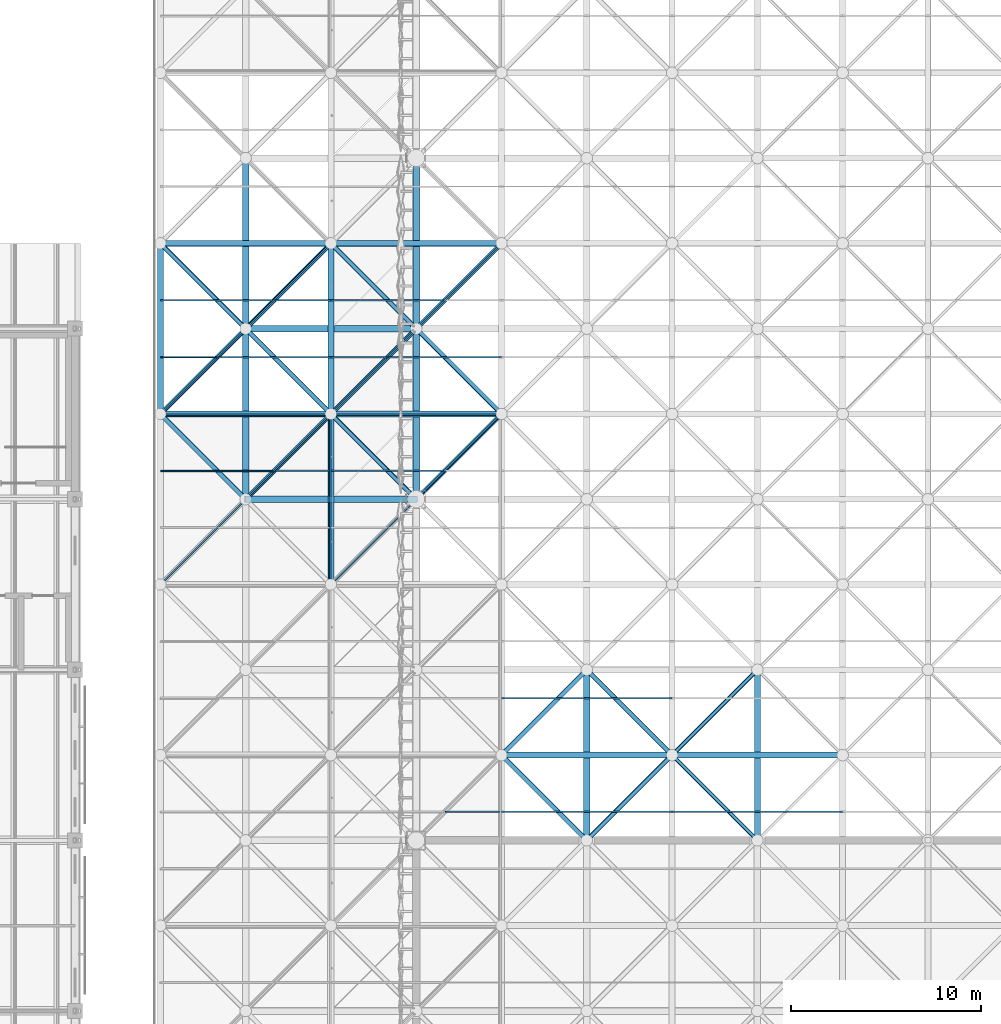
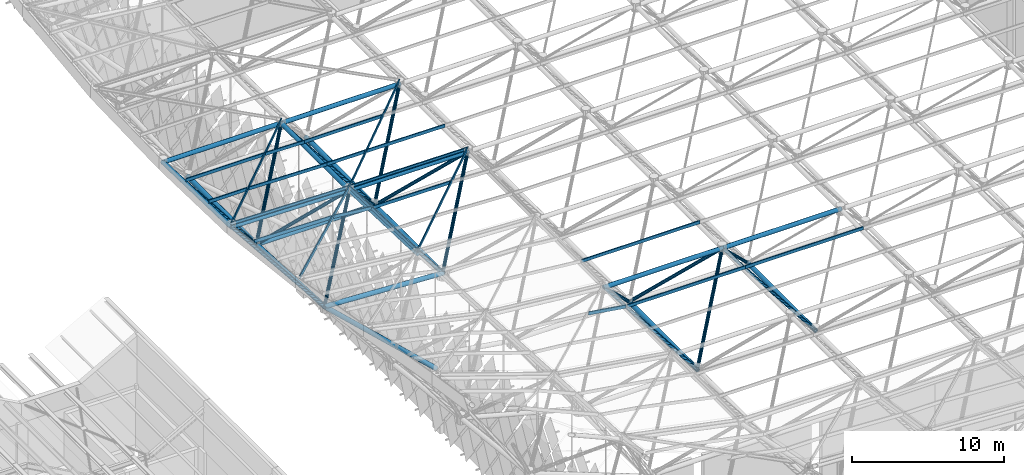
# One storey, part 78 of 437: 57 members.
"""IFC4 building model written with IfcOpenShell, lengths in metres."""

import ifcopenshell
import ifcopenshell.guid

model = None  # the IFC model being written
_history = None  # IfcOwnerHistory: only IFC2X3 demands one
_inside = {}  # id of a spatial element -> (the spatial element, [elements in it])
_under = {}  # id of a project, library or spatial element -> (it, [spatial elements below it])
_declared = {}  # id of a project -> (the project, [libraries it declares])
_typed = {}  # id of a type object -> (the type object, [elements of that type])
_made_of = {}  # id of a material, layer set ... -> (it, [elements and type objects made of it])


def new_model(schema):
    """Start an empty IFC model of exactly this schema.

    Asked for "IFC4X3", IfcOpenShell would pick the latest addendum, in which some entities
    have other attributes; the version numbers below select the first issue.
    IFC2X3 requires an IfcOwnerHistory on every rooted entity: one is made here for all.
    """
    global model, _history
    if schema == "IFC4X3":
        model = ifcopenshell.file(schema_version=(4, 3, 0, 0))
    else:
        model = ifcopenshell.file(schema=schema)
    _inside.clear()
    _under.clear()
    _declared.clear()
    _typed.clear()
    _made_of.clear()
    _history = None
    if model.schema == "IFC2X3":
        org = make("IfcOrganization", Name="unknown")
        user = make(
            "IfcPersonAndOrganization",
            ThePerson=make("IfcPerson", FamilyName="unknown"),
            TheOrganization=org,
        )
        app = make(
            "IfcApplication",
            ApplicationDeveloper=org,
            Version="unknown",
            ApplicationFullName="unknown",
            ApplicationIdentifier="unknown",
        )
        _history = make(
            "IfcOwnerHistory",
            OwningUser=user,
            OwningApplication=app,
            ChangeAction="ADDED",
            CreationDate=0,
        )
    return model


def make(cls, **values):
    """One entity of the class cls with the attributes given. An attribute that is None is left unset."""
    return model.create_entity(
        cls, **{name: value for name, value in values.items() if value is not None}
    )


def rooted(cls, **values):
    """An entity with a GlobalId (a new one), such as an element, a storey or a relation."""
    return make(cls, GlobalId=ifcopenshell.guid.new(), OwnerHistory=_history, **values)


def si_unit(unit_type, name, prefix=None):
    """IfcSIUnit, for example si_unit("LENGTHUNIT", "METRE", prefix="MILLI")."""
    return make("IfcSIUnit", UnitType=unit_type, Prefix=prefix, Name=name)


def assignment(units):
    """IfcUnitAssignment: the units of a project."""
    return None if units is None else make("IfcUnitAssignment", Units=units)


def point(xyz):
    """IfcCartesianPoint."""
    return None if xyz is None else make("IfcCartesianPoint", Coordinates=xyz)


def direction(xyz):
    """IfcDirection."""
    return None if xyz is None else make("IfcDirection", DirectionRatios=xyz)


def frame(location, z_axis=None, x_axis=None):
    """IfcAxis2Placement3D, a coordinate frame: its origin and axes. An axis left out is left unset."""
    return make(
        "IfcAxis2Placement3D",
        Location=point(location),
        Axis=direction(z_axis),
        RefDirection=direction(x_axis),
    )


def frame_2d(location, x_axis=None):
    """IfcAxis2Placement2D, a coordinate frame in the plane: its origin and x axis."""
    return make(
        "IfcAxis2Placement2D", Location=point(location), RefDirection=direction(x_axis)
    )


def origin():
    """The frame at (0, 0, 0) with its axes left unset."""
    return frame((0.0, 0.0, 0.0))


def origin_2d():
    """The frame at (0, 0) in the plane with its x axis left unset."""
    return frame_2d((0.0, 0.0))


def place(relative_to, where):
    """IfcLocalPlacement: puts the frame where relative to a parent placement (None: the world)."""
    return make(
        "IfcLocalPlacement", PlacementRelTo=relative_to, RelativePlacement=where
    )


def context(
    kind, dimensions, precision=None, world=None, true_north=None, identifier=None
):
    """IfcGeometricRepresentationContext, for example the 3D "Model" context."""
    return make(
        "IfcGeometricRepresentationContext",
        ContextIdentifier=identifier,
        ContextType=kind,
        CoordinateSpaceDimension=dimensions,
        Precision=precision,
        WorldCoordinateSystem=world,
        TrueNorth=true_north,
    )


def subcontext(parent, identifier, kind, view, scale=None):
    """IfcGeometricRepresentationSubContext, for example "Body" below "Model"."""
    return make(
        "IfcGeometricRepresentationSubContext",
        ContextIdentifier=identifier,
        ContextType=kind,
        ParentContext=parent,
        TargetScale=scale,
        TargetView=view,
    )


def project(units=None, contexts=None):
    """IfcProject with its units and contexts."""
    return rooted(
        "IfcProject",
        Name="project",
        RepresentationContexts=contexts,
        UnitsInContext=assignment(units),
    )


def spatial(cls, under=None, at=None, **own):
    """A site, building, storey or space (cls), placed at a placement, below another one or the project."""
    s = rooted(cls, ObjectPlacement=at, **own)
    if under is not None:
        _under.setdefault(under.id(), (under, []))[1].append(s)
    return s


def polyline(points):
    """IfcPolyline through the points."""
    return make("IfcPolyline", Points=[point(p) for p in points])


def profile(cls, at=None, kind="AREA", **sizes):
    """A parametric profile (cls). Its sizes go by their IFC names, for example OverallWidth=200.0."""
    return make(cls, ProfileType=kind, Position=at, **sizes)


def hollow_circle(**sizes):
    """IfcCircleHollowProfileDef."""
    return profile("IfcCircleHollowProfileDef", **sizes)


def outline(outer, holes=None, kind="AREA"):
    """IfcArbitraryClosedProfileDef: a profile drawn as a closed curve; with holes, ...WithVoids."""
    if holes is None:
        return make("IfcArbitraryClosedProfileDef", ProfileType=kind, OuterCurve=outer)
    return make(
        "IfcArbitraryProfileDefWithVoids",
        ProfileType=kind,
        OuterCurve=outer,
        InnerCurves=holes,
    )


def extrude(swept, where, along, depth):
    """IfcExtrudedAreaSolid: the profile swept, set in the frame where, extruded along a direction by depth."""
    return make(
        "IfcExtrudedAreaSolid",
        SweptArea=swept,
        Position=where,
        ExtrudedDirection=direction(along),
        Depth=depth,
    )


def shape(context_of_items, identifier, shape_type, items):
    """IfcShapeRepresentation: the items that make up one representation, for example the "Body"."""
    return make(
        "IfcShapeRepresentation",
        ContextOfItems=context_of_items,
        RepresentationIdentifier=identifier,
        RepresentationType=shape_type,
        Items=items,
    )


def material(Name=None, Category=None):
    """IfcMaterial."""
    return make("IfcMaterial", Name=Name, Category=Category)


def material_profile(
    of_material, cross_section, Name=None, Category=None, Priority=None
):
    """IfcMaterialProfile: a cross section and its material."""
    return make(
        "IfcMaterialProfile",
        Name=Name,
        Material=of_material,
        Profile=cross_section,
        Priority=Priority,
        Category=Category,
    )


def profile_set(profiles, Name=None, composite=None):
    """IfcMaterialProfileSet."""
    return make(
        "IfcMaterialProfileSet",
        Name=Name,
        MaterialProfiles=profiles,
        CompositeProfile=composite,
    )


def made_of(thing, what):
    """Note that an element or type object is made of a material, layer set ...; save() writes the relation."""
    if what is not None:
        _made_of.setdefault(what.id(), (what, []))[1].append(thing)
    return thing


def type_object(cls, material=None, **own):
    """A type object (cls), such as IfcWallType, which elements share."""
    return made_of(rooted(cls, **own), material)


def element(
    cls,
    number,
    at=None,
    inside=None,
    cuts=None,
    type_object=None,
    material=None,
    context=None,
    identifier="Body",
    shape_type=None,
    held_by="IfcProductDefinitionShape",
    body=None,
    shapes=None,
    **own,
):
    """One element of the class cls, such as IfcWall. Its Tag is "e" and its number.

    at: its placement. inside: the storey or other place that contains it. cuts: it is an
    opening in that element (IfcRelVoidsElement). A single representation is given by context,
    identifier, shape_type and body (its items); several are given by shapes. held_by: the class
    of the entity that holds the representations. save() writes the other relations.
    """
    e = rooted(cls, Tag="e%d" % number, ObjectPlacement=at, **own)
    if body is not None:
        shapes = [shape(context, identifier, shape_type, body)]
    if shapes is not None:
        e.Representation = make(held_by, Representations=shapes)
    if inside is not None:
        _inside.setdefault(inside.id(), (inside, []))[1].append(e)
    if cuts is not None:
        rooted(
            "IfcRelVoidsElement", RelatingBuildingElement=cuts, RelatedOpeningElement=e
        )
    if type_object is not None:
        _typed.setdefault(type_object.id(), (type_object, []))[1].append(e)
    return made_of(e, material)


def aggregate(whole, parts):
    """IfcRelAggregates: a whole, such as a stair, and the parts it consists of."""
    return rooted("IfcRelAggregates", RelatingObject=whole, RelatedObjects=parts)


def save(model, path):
    """Write the relations noted so far, then the file.

    IfcRelAggregates (storeys below a building ...), IfcRelContainedInSpatialStructure (elements
    in a storey), IfcRelDefinesByType, IfcRelAssociatesMaterial and IfcRelDeclares: one each for
    every whole, place, type object, material and project.
    """
    for whole, parts in _under.values():
        aggregate(whole, parts)
    for where, things in _inside.values():
        rooted(
            "IfcRelContainedInSpatialStructure",
            RelatedElements=things,
            RelatingStructure=where,
        )
    for kind, things in _typed.values():
        rooted("IfcRelDefinesByType", RelatedObjects=things, RelatingType=kind)
    for what, things in _made_of.values():
        rooted("IfcRelAssociatesMaterial", RelatedObjects=things, RelatingMaterial=what)
    for by, libraries in _declared.values():
        rooted("IfcRelDeclares", RelatingContext=by, RelatedDefinitions=libraries)
    model.write(path)


model = new_model("IFC4")

# Units and contexts
model_context = context("Model", 3, precision=1e-05, world=origin(), true_north=direction((0.0, 1.0)))
body_context = subcontext(model_context, "Body", "Model", "MODEL_VIEW")
ifc_project = project(units=[si_unit("LENGTHUNIT", "METRE"), si_unit("AREAUNIT", "SQUARE_METRE"), si_unit("VOLUMEUNIT", "CUBIC_METRE"), si_unit("PLANEANGLEUNIT", "RADIAN"), si_unit("MASSUNIT", "GRAM", prefix="KILO")], contexts=[model_context])

# Site, building, storey
site_placement = place(None, origin())
site = spatial("IfcSite", under=ifc_project, at=site_placement, CompositionType="ELEMENT")
building_placement = place(site_placement, origin())
building = spatial("IfcBuilding", under=site, at=building_placement, Name="Opaline Strait Convention Centre", CompositionType="ELEMENT")
storey_placement = place(building_placement, frame((0.0, 0.0, 11.5)))
storey = spatial("IfcBuildingStorey", under=building, at=storey_placement, Name="L02", CompositionType="ELEMENT", Elevation=11.5)

# Members
ifc_material = material(Name="Steel Q355B", Category="steel")
ifc_material_profile_1 = material_profile(ifc_material, hollow_circle(Radius=0.175537109375, WallThickness=0.01611328125, at=origin_2d()), Name="CHS 351x16")
ifc_profile_set_1 = profile_set([ifc_material_profile_1], Name="Steel Q355B")
member_type_1 = type_object("IfcMemberType", Name="Raking prop CHS 351x16", PredefinedType="BRACE", material=ifc_profile_set_1)
member_1_placement = place(storey_placement, frame((98.48388671875, 90.0, 5.014892578125), z_axis=(-0.72992125999, 0.0, 0.683531238653), x_axis=(0.0, -1.0, 0.0)))
element("IfcMember", 1, at=member_1_placement, inside=storey, type_object=member_type_1, Name="Raking prop 99/90 W", PredefinedType="BRACE", context=body_context, shape_type="SweptSolid", body=[
    extrude(hollow_circle(Radius=0.175537109375, WallThickness=0.01611328125, at=origin_2d()), origin(), (0.0, 0.0, 1.0), 11.6728515625),
])
ifc_material_profile_2 = material_profile(ifc_material, outline(polyline([(-0.03759765625, -0.125), (0.03759765625, -0.125), (0.03759765625, -0.10498046875), (0.034912109375, -0.10498046875), (0.034912109375, -0.12255859375), (-0.034912109375, -0.12255859375), (-0.034912109375, 0.12255859375), (0.034912109375, 0.12255859375), (0.034912109375, 0.10498046875), (0.03759765625, 0.10498046875), (0.03759765625, 0.125), (-0.03759765625, 0.125), (-0.03759765625, -0.125)])), Name="C 250x75x20x2.5")
ifc_profile_set_2 = profile_set([ifc_material_profile_2], Name="Steel Q355B")
member_type_2 = type_object("IfcMemberType", Name="Roof purlin C 250x75x20x2.5", PredefinedType="PURLIN", material=ifc_profile_set_2)
member_2_placement = place(storey_placement, frame((100.550048828125, 73.5, 18.7177734375), z_axis=(0.988094799995, 0.0, -0.153846242146), x_axis=(0.0, 1.0, 0.0)))
element("IfcMember", 2, at=member_2_placement, inside=storey, type_object=member_type_2, Name="EXB-RF-P-1-3-1a", PredefinedType="PURLIN", context=body_context, shape_type="SweptSolid", body=[
    extrude(outline(polyline([(-0.03759765625, -0.125), (0.03759765625, -0.125), (0.03759765625, -0.10498046875), (0.034912109375, -0.10498046875), (0.034912109375, -0.12255859375), (-0.034912109375, -0.12255859375), (-0.034912109375, 0.12255859375), (0.034912109375, 0.12255859375), (0.034912109375, 0.10498046875), (0.03759765625, 0.10498046875), (0.03759765625, 0.125), (-0.03759765625, 0.125), (-0.03759765625, -0.125)])), origin(), (0.0, 0.0, 1.0), 2.891357421875),
])
for number, where, z_axis, x_axis, name in (
    (3, (103.5, 73.5, 18.257080078125), (1.0, 0.0, 0.0), (0.0, 1.0, 0.0), "EXB-RF-P-2-3-1"),
    (4, (112.5, 73.5, 18.257080078125), (1.0, 0.0, 0.0), (0.0, 1.0, 0.0), "EXB-RF-P-3-3-1"),
    (5, (103.5, 79.5, 18.257080078125), (1.0, 0.0, 0.0), (0.0, 1.0, 0.0), "EXB-RF-P-2-4-0"),
):
    element("IfcMember", number, at=place(storey_placement, frame(where, z_axis=z_axis, x_axis=x_axis)), inside=storey, type_object=member_type_2, Name=name, PredefinedType="PURLIN", context=body_context, shape_type="SweptSolid", body=[
        extrude(outline(polyline([(-0.03759765625, -0.125), (0.03759765625, -0.125), (0.03759765625, -0.10498046875), (0.034912109375, -0.10498046875), (0.034912109375, -0.12255859375), (-0.034912109375, -0.12255859375), (-0.034912109375, 0.12255859375), (0.034912109375, 0.12255859375), (0.034912109375, 0.10498046875), (0.03759765625, 0.10498046875), (0.03759765625, 0.125), (-0.03759765625, 0.125), (-0.03759765625, -0.125)])), origin(), (0.0, 0.0, 1.0), 9.0),
    ])
member_3_placement = place(storey_placement, frame((85.5, 85.5, 19.593994140625), z_axis=(0.703588662414, 0.703588662414, -0.099629253955), x_axis=(-0.710307330996, 0.700419485379, -0.069828647665)))
element("IfcMember", 6, at=member_3_placement, inside=storey, type_object=member_type_2, Name="EXB-RF-F-0-5", PredefinedType="PURLIN", context=body_context, shape_type="SweptSolid", body=[
    extrude(outline(polyline([(-0.03759765625, -0.125), (0.03759765625, -0.125), (0.03759765625, -0.10498046875), (0.034912109375, -0.10498046875), (0.034912109375, -0.12255859375), (-0.034912109375, -0.12255859375), (-0.034912109375, 0.12255859375), (0.034912109375, 0.12255859375), (0.034912109375, 0.10498046875), (0.03759765625, 0.10498046875), (0.03759765625, 0.125), (-0.03759765625, 0.125), (-0.03759765625, -0.125)])), origin(), (0.0, 0.0, 1.0), 12.79150390625),
])
member_4_placement = place(storey_placement, frame((94.447509765625, 94.550048828125, 18.32666015625), z_axis=(0.0, -0.999301400504, 0.037372596241), x_axis=(0.994620331005, -0.003871338683, -0.103515264032)))
element("IfcMember", 7, at=member_4_placement, inside=storey, type_object=member_type_2, Name="EXB-RF-E-0-5a", PredefinedType="PURLIN", context=body_context, shape_type="SweptSolid", body=[
    extrude(outline(polyline([(-0.03759765625, -0.125), (0.03759765625, -0.125), (0.03759765625, -0.10498046875), (0.034912109375, -0.10498046875), (0.034912109375, -0.12255859375), (-0.034912109375, -0.12255859375), (-0.034912109375, 0.12255859375), (0.034912109375, 0.12255859375), (0.034912109375, 0.10498046875), (0.03759765625, 0.10498046875), (0.03759765625, 0.125), (-0.03759765625, 0.125), (-0.03759765625, -0.125)])), origin(), (0.0, 0.0, 1.0), 9.1064453125),
])
member_5_placement = place(storey_placement, frame((91.550048828125, 91.5, 18.74267578125), z_axis=(0.994614584479, 0.0, -0.103642792038), x_axis=(-0.003871247661, 0.999302177023, -0.037150672111)))
element("IfcMember", 8, at=member_5_placement, inside=storey, type_object=member_type_2, Name="EXB-RF-P-0-5-1a", PredefinedType="PURLIN", context=body_context, shape_type="SweptSolid", body=[
    extrude(outline(polyline([(-0.03759765625, -0.125), (0.03759765625, -0.125), (0.03759765625, -0.10498046875), (0.034912109375, -0.10498046875), (0.034912109375, -0.12255859375), (-0.034912109375, -0.12255859375), (-0.034912109375, 0.12255859375), (0.034912109375, 0.12255859375), (0.034912109375, 0.10498046875), (0.03759765625, 0.10498046875), (0.03759765625, 0.125), (-0.03759765625, 0.125), (-0.03759765625, -0.125)])), origin(), (0.0, 0.0, 1.0), 2.87841796875),
])
member_6_placement = place(storey_placement, frame((94.550048828125, 94.445556640625, 18.328369140625), z_axis=(-0.999783916988, 0.0, 0.020787480165), x_axis=(0.002492335547, -0.992786458004, 0.119870084123)))
element("IfcMember", 9, at=member_6_placement, inside=storey, type_object=member_type_2, Name="EXB-RF-E-0-5b", PredefinedType="PURLIN", context=body_context, shape_type="SweptSolid", body=[
    extrude(outline(polyline([(-0.03759765625, -0.125), (0.03759765625, -0.125), (0.03759765625, -0.10498046875), (0.034912109375, -0.10498046875), (0.034912109375, -0.12255859375), (-0.034912109375, -0.12255859375), (-0.034912109375, 0.12255859375), (0.034912109375, 0.12255859375), (0.034912109375, 0.10498046875), (0.03759765625, 0.10498046875), (0.03759765625, 0.125), (-0.03759765625, 0.125), (-0.03759765625, -0.125)])), origin(), (0.0, 0.0, 1.0), 9.10205078125),
])
member_7_placement = place(storey_placement, frame((85.5, 91.5, 18.872314453125), z_axis=(0.999783679197, 0.0, -0.020798913682), x_axis=(-0.002494246966, 0.992783318794, -0.119896041038)))
element("IfcMember", 10, at=member_7_placement, inside=storey, type_object=member_type_2, Name="EXB-RF-P-0-5-1b", PredefinedType="PURLIN", context=body_context, shape_type="SweptSolid", body=[
    extrude(outline(polyline([(-0.03759765625, -0.125), (0.03759765625, -0.125), (0.03759765625, -0.10498046875), (0.034912109375, -0.10498046875), (0.034912109375, -0.12255859375), (-0.034912109375, -0.12255859375), (-0.034912109375, 0.12255859375), (0.034912109375, 0.12255859375), (0.034912109375, 0.10498046875), (0.03759765625, 0.10498046875), (0.03759765625, 0.125), (-0.03759765625, 0.125), (-0.03759765625, -0.125)])), origin(), (0.0, 0.0, 1.0), 5.951171875),
])
member_8_placement = place(storey_placement, frame((94.5, 85.5, 18.6572265625), z_axis=(0.706754608869, 0.706754608869, -0.031557022738), x_axis=(-0.707421437094, 0.706472170757, -0.021259874997)))
element("IfcMember", 11, at=member_8_placement, inside=storey, type_object=member_type_2, Name="EXB-RF-F-1-5", PredefinedType="PURLIN", context=body_context, shape_type="SweptSolid", body=[
    extrude(outline(polyline([(-0.03759765625, -0.125), (0.03759765625, -0.125), (0.03759765625, -0.10498046875), (0.034912109375, -0.10498046875), (0.034912109375, -0.12255859375), (-0.034912109375, -0.12255859375), (-0.034912109375, 0.12255859375), (0.034912109375, 0.12255859375), (0.034912109375, 0.10498046875), (0.03759765625, 0.10498046875), (0.03759765625, 0.125), (-0.03759765625, 0.125), (-0.03759765625, -0.125)])), origin(), (0.0, 0.0, 1.0), 12.734375),
])
member_9_placement = place(storey_placement, frame((103.550048828125, 94.45556640625, 18.25830078125), z_axis=(-0.999973571083, 0.0, 0.007270291296), x_axis=(0.000271545984, -0.999302242213, 0.037349095988)))
element("IfcMember", 12, at=member_9_placement, inside=storey, type_object=member_type_2, Name="EXB-RF-E-1-5b", PredefinedType="PURLIN", context=body_context, shape_type="SweptSolid", body=[
    extrude(outline(polyline([(-0.03759765625, -0.125), (0.03759765625, -0.125), (0.03759765625, -0.10498046875), (0.034912109375, -0.10498046875), (0.034912109375, -0.12255859375), (-0.034912109375, -0.12255859375), (-0.034912109375, 0.12255859375), (0.034912109375, 0.12255859375), (0.034912109375, 0.10498046875), (0.03759765625, 0.10498046875), (0.03759765625, 0.125), (-0.03759765625, 0.125), (-0.03759765625, -0.125)])), origin(), (0.0, 0.0, 1.0), 9.100341796875),
])
member_10_placement = place(storey_placement, frame((94.5, 91.5, 18.4345703125), z_axis=(0.999973627418, 0.0, -0.007262538757), x_axis=(-0.000271269093, 0.999302177023, -0.037350842157)))
element("IfcMember", 13, at=member_10_placement, inside=storey, type_object=member_type_2, Name="EXB-RF-P-1-5-1b", PredefinedType="PURLIN", context=body_context, shape_type="SweptSolid", body=[
    extrude(outline(polyline([(-0.03759765625, -0.125), (0.03759765625, -0.125), (0.03759765625, -0.10498046875), (0.034912109375, -0.10498046875), (0.034912109375, -0.12255859375), (-0.034912109375, -0.12255859375), (-0.034912109375, 0.12255859375), (0.034912109375, 0.12255859375), (0.034912109375, 0.10498046875), (0.03759765625, 0.10498046875), (0.03759765625, 0.125), (-0.03759765625, 0.125), (-0.03759765625, -0.125)])), origin(), (0.0, 0.0, 1.0), 5.9501953125),
])
member_11_placement = place(storey_placement, frame((85.5, 94.5, 18.508544921875), z_axis=(0.706967474347, 0.706967474347, -0.01984894032), x_axis=(-0.706940201705, 0.707208676567, 0.009562374229)))
element("IfcMember", 14, at=member_11_placement, inside=storey, type_object=member_type_2, Name="EXB-RF-F-0-6", PredefinedType="PURLIN", context=body_context, shape_type="SweptSolid", body=[
    extrude(outline(polyline([(-0.03759765625, -0.125), (0.03759765625, -0.125), (0.03759765625, -0.10498046875), (0.034912109375, -0.10498046875), (0.034912109375, -0.12255859375), (-0.034912109375, -0.12255859375), (-0.034912109375, 0.12255859375), (0.034912109375, 0.12255859375), (0.034912109375, 0.10498046875), (0.03759765625, 0.10498046875), (0.03759765625, 0.125), (-0.03759765625, 0.125), (-0.03759765625, -0.125)])), origin(), (0.0, 0.0, 1.0), 12.73046875),
])
member_12_placement = place(storey_placement, frame((88.550048828125, 97.5, 18.424560546875), z_axis=(0.999783679197, 0.0, -0.020798913682), x_axis=(-0.000151301035, 0.999973540706, -0.007272894544)))
element("IfcMember", 15, at=member_12_placement, inside=storey, type_object=member_type_2, Name="EXB-RF-P-0-6-0a", PredefinedType="PURLIN", context=body_context, shape_type="SweptSolid", body=[
    extrude(outline(polyline([(-0.03759765625, -0.125), (0.03759765625, -0.125), (0.03759765625, -0.10498046875), (0.034912109375, -0.10498046875), (0.034912109375, -0.12255859375), (-0.034912109375, -0.12255859375), (-0.034912109375, 0.12255859375), (0.034912109375, 0.12255859375), (0.034912109375, 0.10498046875), (0.03759765625, 0.10498046875), (0.03759765625, 0.125), (-0.03759765625, 0.125), (-0.03759765625, -0.125)])), origin(), (0.0, 0.0, 1.0), 5.951171875),
])
member_13_placement = place(storey_placement, frame((91.550048828125, 100.5, 18.34033203125), z_axis=(0.999782589814, 0.0, -0.020851213493), x_axis=(-0.000151681489, 0.999973540706, -0.007272886619)))
element("IfcMember", 16, at=member_13_placement, inside=storey, type_object=member_type_2, Name="EXB-RF-P-0-6-1a", PredefinedType="PURLIN", context=body_context, shape_type="SweptSolid", body=[
    extrude(outline(polyline([(-0.03759765625, -0.125), (0.03759765625, -0.125), (0.03759765625, -0.10498046875), (0.034912109375, -0.10498046875), (0.034912109375, -0.12255859375), (-0.034912109375, -0.12255859375), (-0.034912109375, 0.12255859375), (0.034912109375, 0.12255859375), (0.034912109375, 0.10498046875), (0.03759765625, 0.10498046875), (0.03759765625, 0.125), (-0.03759765625, 0.125), (-0.03759765625, -0.125)])), origin(), (0.0, 0.0, 1.0), 2.95068359375),
])
member_14_placement = place(storey_placement, frame((85.5, 97.5, 18.425537109375), z_axis=(1.0, 0.0, 0.0), x_axis=(0.0, 0.999606059758, -0.028066444278)))
element("IfcMember", 17, at=member_14_placement, inside=storey, type_object=member_type_2, Name="EXB-RF-P-0-6-0b", PredefinedType="PURLIN", context=body_context, shape_type="SweptSolid", body=[
    extrude(outline(polyline([(-0.03759765625, -0.125), (0.03759765625, -0.125), (0.03759765625, -0.10498046875), (0.034912109375, -0.10498046875), (0.034912109375, -0.12255859375), (-0.034912109375, -0.12255859375), (-0.034912109375, 0.12255859375), (0.034912109375, 0.12255859375), (0.034912109375, 0.10498046875), (0.03759765625, 0.10498046875), (0.03759765625, 0.125), (-0.03759765625, 0.125), (-0.03759765625, -0.125)])), origin(), (0.0, 0.0, 1.0), 2.949951171875),
])
member_15_placement = place(storey_placement, frame((85.5, 100.5, 18.34130859375), z_axis=(1.0, 0.0, 0.0), x_axis=(0.0, 0.999606059758, -0.028066444278)))
element("IfcMember", 18, at=member_15_placement, inside=storey, type_object=member_type_2, Name="EXB-RF-P-0-6-1b", PredefinedType="PURLIN", context=body_context, shape_type="SweptSolid", body=[
    extrude(outline(polyline([(-0.03759765625, -0.125), (0.03759765625, -0.125), (0.03759765625, -0.10498046875), (0.034912109375, -0.10498046875), (0.034912109375, -0.12255859375), (-0.034912109375, -0.12255859375), (-0.034912109375, 0.12255859375), (0.034912109375, 0.12255859375), (0.034912109375, 0.10498046875), (0.03759765625, 0.10498046875), (0.03759765625, 0.125), (-0.03759765625, 0.125), (-0.03759765625, -0.125)])), origin(), (0.0, 0.0, 1.0), 5.949951171875),
])
member_16_placement = place(storey_placement, frame((94.5, 94.5, 18.322021484375), z_axis=(0.7070974383, 0.7070974383, -0.005140573824), x_axis=(-0.707116123947, 0.707078731646, -0.005143394667)))
element("IfcMember", 19, at=member_16_placement, inside=storey, type_object=member_type_2, Name="EXB-RF-F-1-6", PredefinedType="PURLIN", context=body_context, shape_type="SweptSolid", body=[
    extrude(outline(polyline([(-0.03759765625, -0.125), (0.03759765625, -0.125), (0.03759765625, -0.10498046875), (0.034912109375, -0.10498046875), (0.034912109375, -0.12255859375), (-0.034912109375, -0.12255859375), (-0.034912109375, 0.12255859375), (0.034912109375, 0.12255859375), (0.034912109375, 0.10498046875), (0.03759765625, 0.10498046875), (0.03759765625, 0.125), (-0.03759765625, 0.125), (-0.03759765625, -0.125)])), origin(), (0.0, 0.0, 1.0), 12.72802734375),
])
member_17_placement = place(storey_placement, frame((97.550048828125, 97.5, 18.30029296875), z_axis=(0.999973627418, 0.0, -0.007262538757), x_axis=(0.0, 1.0, 0.0)))
element("IfcMember", 20, at=member_17_placement, inside=storey, type_object=member_type_2, Name="EXB-RF-P-1-6-0a", PredefinedType="PURLIN", context=body_context, shape_type="SweptSolid", body=[
    extrude(outline(polyline([(-0.03759765625, -0.125), (0.03759765625, -0.125), (0.03759765625, -0.10498046875), (0.034912109375, -0.10498046875), (0.034912109375, -0.12255859375), (-0.034912109375, -0.12255859375), (-0.034912109375, 0.12255859375), (0.034912109375, 0.12255859375), (0.034912109375, 0.10498046875), (0.03759765625, 0.10498046875), (0.03759765625, 0.125), (-0.03759765625, 0.125), (-0.03759765625, -0.125)])), origin(), (0.0, 0.0, 1.0), 5.9501953125),
])
member_18_placement = place(storey_placement, frame((94.5, 97.5, 18.300537109375), z_axis=(1.0, 0.0, 0.0), x_axis=(0.0, 0.999973540706, -0.007274468163)))
element("IfcMember", 21, at=member_18_placement, inside=storey, type_object=member_type_2, Name="EXB-RF-P-1-6-0b", PredefinedType="PURLIN", context=body_context, shape_type="SweptSolid", body=[
    extrude(outline(polyline([(-0.03759765625, -0.125), (0.03759765625, -0.125), (0.03759765625, -0.10498046875), (0.034912109375, -0.10498046875), (0.034912109375, -0.12255859375), (-0.034912109375, -0.12255859375), (-0.034912109375, 0.12255859375), (0.034912109375, 0.12255859375), (0.034912109375, 0.10498046875), (0.03759765625, 0.10498046875), (0.03759765625, 0.125), (-0.03759765625, 0.125), (-0.03759765625, -0.125)])), origin(), (0.0, 0.0, 1.0), 2.949951171875),
])
member_19_placement = place(storey_placement, frame((94.5, 100.5, 18.27880859375), z_axis=(1.0, 0.0, 0.0), x_axis=(0.0, 0.999973540706, -0.007274468163)))
element("IfcMember", 22, at=member_19_placement, inside=storey, type_object=member_type_2, Name="EXB-RF-P-1-6-1b", PredefinedType="PURLIN", context=body_context, shape_type="SweptSolid", body=[
    extrude(outline(polyline([(-0.03759765625, -0.125), (0.03759765625, -0.125), (0.03759765625, -0.10498046875), (0.034912109375, -0.10498046875), (0.034912109375, -0.12255859375), (-0.034912109375, -0.12255859375), (-0.034912109375, 0.12255859375), (0.034912109375, 0.12255859375), (0.034912109375, 0.10498046875), (0.03759765625, 0.10498046875), (0.03759765625, 0.125), (-0.03759765625, 0.125), (-0.03759765625, -0.125)])), origin(), (0.0, 0.0, 1.0), 5.949951171875),
])
ifc_material_profile_3 = material_profile(ifc_material, hollow_circle(Radius=0.16259765625, WallThickness=0.013916015625, at=origin_2d()), Name="CHS 325x14")
ifc_profile_set_3 = profile_set([ifc_material_profile_3], Name="Steel Q355B")
member_type_3 = type_object("IfcMemberType", Name="Space frame bottom chord CHS 325x14", PredefinedType="CHORD", material=ifc_profile_set_3)
member_20_placement = place(storey_placement, frame((117.0, 71.949951171875, 12.5), z_axis=(0.0, 1.0, 0.0), x_axis=(-1.0, 0.0, 0.0)))
element("IfcMember", 23, at=member_20_placement, inside=storey, type_object=member_type_3, Name="EXB-RF-BY-3-3", PredefinedType="CHORD", context=body_context, shape_type="SweptSolid", body=[
    extrude(hollow_circle(Radius=0.16259765625, WallThickness=0.013916015625, at=origin_2d()), origin(), (0.0, 0.0, 1.0), 9.10009765625),
])
ifc_material_profile_4 = material_profile(ifc_material, hollow_circle(Radius=0.175537109375, WallThickness=0.01611328125, at=origin_2d()), Name="CHS 351x16")
ifc_profile_set_4 = profile_set([ifc_material_profile_4], Name="Steel Q355B")
member_type_4 = type_object("IfcMemberType", Name="Space frame bottom chord CHS 351x16", PredefinedType="CHORD", material=ifc_profile_set_4)
member_21_placement = place(storey_placement, frame((89.949951171875, 90.0, 12.9619140625), z_axis=(0.998700632728, 0.0, -0.050961222392), x_axis=(0.0, 1.0, 0.0)))
element("IfcMember", 24, at=member_21_placement, inside=storey, type_object=member_type_4, Name="EXB-RF-BX-0-5", PredefinedType="CHORD", context=body_context, shape_type="SweptSolid", body=[
    extrude(hollow_circle(Radius=0.175537109375, WallThickness=0.01611328125, at=origin_2d()), origin(), (0.0, 0.0, 1.0), 9.11181640625),
])
member_22_placement = place(storey_placement, frame((89.949951171875, 99.0, 12.509033203125), z_axis=(0.999999507324, 0.0, -0.000992648542), x_axis=(0.0, 1.0, 0.0)))
element("IfcMember", 25, at=member_22_placement, inside=storey, type_object=member_type_4, Name="EXB-RF-BX-0-6", PredefinedType="CHORD", context=body_context, shape_type="SweptSolid", body=[
    extrude(hollow_circle(Radius=0.175537109375, WallThickness=0.01611328125, at=origin_2d()), origin(), (0.0, 0.0, 1.0), 9.10009765625),
])
member_23_placement = place(storey_placement, frame((90.0, 89.949951171875, 12.9619140625), z_axis=(0.0, 0.998749263269, -0.049999091197), x_axis=(-1.0, 0.0, 0.0)))
element("IfcMember", 26, at=member_23_placement, inside=storey, type_object=member_type_4, Name="EXB-RF-BY-0-5", PredefinedType="CHORD", context=body_context, shape_type="SweptSolid", body=[
    extrude(hollow_circle(Radius=0.175537109375, WallThickness=0.01611328125, at=origin_2d()), origin(), (0.0, 0.0, 1.0), 9.111572265625),
])
for number, where, z_axis, x_axis, name in (
    (27, (90.0, 98.949951171875, 12.509033203125), (0.0, 1.0, 0.0), (-1.0, 0.0, 0.0), "EXB-RF-BY-0-6"),
    (28, (99.0, 89.949951171875, 12.5), (0.0, 1.0, 0.0), (-1.0, 0.0, 0.0), "EXB-RF-BY-1-5"),
    (29, (99.0, 98.949951171875, 12.5), (0.0, 1.0, 0.0), (-1.0, 0.0, 0.0), "EXB-RF-BY-1-6"),
    (30, (108.0, 71.949951171875, 12.5), (0.0, 1.0, 0.0), (-1.0, 0.0, 0.0), "EXB-RF-BY-2-3"),
):
    element("IfcMember", number, at=place(storey_placement, frame(where, z_axis=z_axis, x_axis=x_axis)), inside=storey, type_object=member_type_4, Name=name, PredefinedType="CHORD", context=body_context, shape_type="SweptSolid", body=[
        extrude(hollow_circle(Radius=0.175537109375, WallThickness=0.01611328125, at=origin_2d()), origin(), (0.0, 0.0, 1.0), 9.10009765625),
    ])
ifc_material_profile_5 = material_profile(ifc_material, hollow_circle(Radius=0.16259765625, WallThickness=0.013916015625, at=origin_2d()), Name="CHS 325x14")
ifc_profile_set_5 = profile_set([ifc_material_profile_5], Name="Steel Q355B")
member_type_5 = type_object("IfcMemberType", Name="Space frame top chord CHS 325x14", PredefinedType="CHORD", material=ifc_profile_set_5)
member_24_placement = place(storey_placement, frame((112.449951171875, 76.5, 17.971435546875), z_axis=(1.0, 0.0, 0.0), x_axis=(0.0, 1.0, 0.0)))
element("IfcMember", 31, at=member_24_placement, inside=storey, type_object=member_type_5, Name="EXB-RF-TX-3-4", PredefinedType="CHORD", context=body_context, shape_type="SweptSolid", body=[
    extrude(hollow_circle(Radius=0.16259765625, WallThickness=0.013916015625, at=origin_2d()), origin(), (0.0, 0.0, 1.0), 9.10009765625),
])
member_25_placement = place(storey_placement, frame((85.5, 94.449951171875, 18.2255859375), z_axis=(0.0, 0.999606481677, -0.028051413313), x_axis=(-1.0, 0.0, 0.0)))
element("IfcMember", 32, at=member_25_placement, inside=storey, type_object=member_type_5, Name="EXB-RF-TY-0-6", PredefinedType="CHORD", context=body_context, shape_type="SweptSolid", body=[
    extrude(hollow_circle(Radius=0.16259765625, WallThickness=0.013916015625, at=origin_2d()), origin(), (0.0, 0.0, 1.0), 9.103759765625),
])
ifc_material_profile_6 = material_profile(ifc_material, hollow_circle(Radius=0.16259765625, WallThickness=0.02001953125, at=origin_2d()), Name="CHS 325x20")
ifc_profile_set_6 = profile_set([ifc_material_profile_6], Name="Steel Q355B")
member_type_6 = type_object("IfcMemberType", Name="Space frame top chord CHS 325x20", PredefinedType="CHORD", material=ifc_profile_set_6)
member_26_placement = place(storey_placement, frame((103.449951171875, 76.5, 17.971435546875), z_axis=(1.0, 0.0, 0.0), x_axis=(0.0, 1.0, 0.0)))
element("IfcMember", 33, at=member_26_placement, inside=storey, type_object=member_type_6, Name="EXB-RF-TX-2-4", PredefinedType="CHORD", context=body_context, shape_type="SweptSolid", body=[
    extrude(hollow_circle(Radius=0.16259765625, WallThickness=0.02001953125, at=origin_2d()), origin(), (0.0, 0.0, 1.0), 9.10009765625),
])
member_27_placement = place(storey_placement, frame((85.449951171875, 94.5, 18.225341796875), z_axis=(0.999783359176, 0.0, -0.020814291107), x_axis=(0.0, 1.0, 0.0)))
element("IfcMember", 34, at=member_27_placement, inside=storey, type_object=member_type_6, Name="EXB-RF-TX-0-6", PredefinedType="CHORD", context=body_context, shape_type="SweptSolid", body=[
    extrude(hollow_circle(Radius=0.16259765625, WallThickness=0.02001953125, at=origin_2d()), origin(), (0.0, 0.0, 1.0), 9.10205078125),
])
member_28_placement = place(storey_placement, frame((94.449951171875, 94.5, 18.037353515625), z_axis=(0.999973571083, 0.0, -0.007270291296), x_axis=(0.0, 1.0, 0.0)))
element("IfcMember", 35, at=member_28_placement, inside=storey, type_object=member_type_6, Name="EXB-RF-TX-1-6", PredefinedType="CHORD", context=body_context, shape_type="SweptSolid", body=[
    extrude(hollow_circle(Radius=0.16259765625, WallThickness=0.02001953125, at=origin_2d()), origin(), (0.0, 0.0, 1.0), 9.100341796875),
])
for number, where, z_axis, x_axis, name in (
    (36, (85.449951171875, 103.5, 17.971435546875), (1.0, 0.0, 0.0), (0.0, 1.0, 0.0), "EXB-RF-TX-0-7"),
    (37, (94.449951171875, 103.5, 17.971435546875), (1.0, 0.0, 0.0), (0.0, 1.0, 0.0), "EXB-RF-TX-1-7"),
):
    element("IfcMember", number, at=place(storey_placement, frame(where, z_axis=z_axis, x_axis=x_axis)), inside=storey, type_object=member_type_6, Name=name, PredefinedType="CHORD", context=body_context, shape_type="SweptSolid", body=[
        extrude(hollow_circle(Radius=0.16259765625, WallThickness=0.02001953125, at=origin_2d()), origin(), (0.0, 0.0, 1.0), 9.10009765625),
    ])
member_29_placement = place(storey_placement, frame((94.5, 85.449951171875, 18.375244140625), z_axis=(0.0, 0.999302401392, -0.037345824037), x_axis=(-1.0, 0.0, 0.0)))
element("IfcMember", 38, at=member_29_placement, inside=storey, type_object=member_type_6, Name="EXB-RF-TY-1-5", PredefinedType="CHORD", context=body_context, shape_type="SweptSolid", body=[
    extrude(hollow_circle(Radius=0.16259765625, WallThickness=0.02001953125, at=origin_2d()), origin(), (0.0, 0.0, 1.0), 9.1064453125),
])
member_30_placement = place(storey_placement, frame((94.5, 94.449951171875, 18.037353515625), z_axis=(0.0, 0.999973571083, -0.007270291296), x_axis=(-1.0, 0.0, 0.0)))
element("IfcMember", 39, at=member_30_placement, inside=storey, type_object=member_type_6, Name="EXB-RF-TY-1-6", PredefinedType="CHORD", context=body_context, shape_type="SweptSolid", body=[
    extrude(hollow_circle(Radius=0.16259765625, WallThickness=0.02001953125, at=origin_2d()), origin(), (0.0, 0.0, 1.0), 9.100341796875),
])
ifc_material_profile_7 = material_profile(ifc_material, hollow_circle(Radius=0.109619140625, WallThickness=0.010009765625, at=origin_2d()), Name="CHS 219x10")
ifc_profile_set_7 = profile_set([ifc_material_profile_7], Name="Steel Q355B")
member_type_7 = type_object("IfcMemberType", Name="Space frame web CHS 219x10", PredefinedType="BRACE", material=ifc_profile_set_7)
for number, where, z_axis, x_axis, name in (
    (40, (112.47314453125, 76.52685546875, 18.004150390625), (0.536178220346, -0.536178220346, -0.6519400525), (0.707106781187, 0.707106781187, 0.0), "EXB-RF-W-3-3-01"),
    (41, (112.47314453125, 76.47314453125, 18.004150390625), (0.536178220346, 0.536178220346, -0.6519400525), (-0.707106781187, 0.707106781187, 0.0), "EXB-RF-W-3-4-00"),
):
    element("IfcMember", number, at=place(storey_placement, frame(where, z_axis=z_axis, x_axis=x_axis)), inside=storey, type_object=member_type_7, Name=name, PredefinedType="BRACE", context=body_context, shape_type="SweptSolid", body=[
        extrude(hollow_circle(Radius=0.109619140625, WallThickness=0.010009765625, at=origin_2d()), origin(), (0.0, 0.0, 1.0), 8.492919921875),
    ])
ifc_material_profile_8 = material_profile(ifc_material, hollow_circle(Radius=0.12255859375, WallThickness=0.011962890625, at=origin_2d()), Name="CHS 245x12")
ifc_profile_set_8 = profile_set([ifc_material_profile_8], Name="Steel Q355B")
member_type_8 = type_object("IfcMemberType", Name="Space frame web CHS 245x12", PredefinedType="BRACE", material=ifc_profile_set_8)
member_31_placement = place(storey_placement, frame((85.47265625, 94.52734375, 18.256103515625), z_axis=(0.544839052131, -0.544839052131, -0.637417300162), x_axis=(0.707106781187, 0.707106781187, 0.0)))
element("IfcMember", 42, at=member_31_placement, inside=storey, type_object=member_type_8, Name="EXB-RF-W-0-5-01", PredefinedType="BRACE", context=body_context, shape_type="SweptSolid", body=[
    extrude(hollow_circle(Radius=0.12255859375, WallThickness=0.011962890625, at=origin_2d()), origin(), (0.0, 0.0, 1.0), 8.359619140625),
])
member_32_placement = place(storey_placement, frame((94.527587890625, 94.527587890625, 18.068115234375), z_axis=(-0.552730589909, -0.552730589909, -0.623680839819), x_axis=(0.707106781187, -0.707106781187, 0.0)))
element("IfcMember", 43, at=member_32_placement, inside=storey, type_object=member_type_8, Name="EXB-RF-W-0-5-11", PredefinedType="BRACE", context=body_context, shape_type="SweptSolid", body=[
    extrude(hollow_circle(Radius=0.12255859375, WallThickness=0.011962890625, at=origin_2d()), origin(), (0.0, 0.0, 1.0), 8.2412109375),
])
member_33_placement = place(storey_placement, frame((85.4736328125, 94.4736328125, 18.257568359375), z_axis=(0.526104118991, 0.526104118991, -0.668153359613), x_axis=(-0.707106781187, 0.707106781187, 0.0)))
element("IfcMember", 44, at=member_33_placement, inside=storey, type_object=member_type_8, Name="EXB-RF-W-0-6-00", PredefinedType="BRACE", context=body_context, shape_type="SweptSolid", body=[
    extrude(hollow_circle(Radius=0.12255859375, WallThickness=0.011962890625, at=origin_2d()), origin(), (0.0, 0.0, 1.0), 8.653564453125),
])
member_34_placement = place(storey_placement, frame((85.47314453125, 103.52685546875, 18.004150390625), z_axis=(0.536550097538, -0.536550097538, -0.651327863417), x_axis=(0.707106781187, 0.707106781187, 0.0)))
element("IfcMember", 45, at=member_34_placement, inside=storey, type_object=member_type_8, Name="EXB-RF-W-0-6-01", PredefinedType="BRACE", context=body_context, shape_type="SweptSolid", body=[
    extrude(hollow_circle(Radius=0.12255859375, WallThickness=0.011962890625, at=origin_2d()), origin(), (0.0, 0.0, 1.0), 8.487060546875),
])
member_35_placement = place(storey_placement, frame((94.526611328125, 94.473388671875, 18.06982421875), z_axis=(-0.533815659116, 0.533815659116, -0.655806133065), x_axis=(-0.707106781187, -0.707106781187, 0.0)))
element("IfcMember", 46, at=member_35_placement, inside=storey, type_object=member_type_8, Name="EXB-RF-W-0-6-10", PredefinedType="BRACE", context=body_context, shape_type="SweptSolid", body=[
    extrude(hollow_circle(Radius=0.12255859375, WallThickness=0.011962890625, at=origin_2d()), origin(), (0.0, 0.0, 1.0), 8.529541015625),
])
member_36_placement = place(storey_placement, frame((94.52685546875, 103.52685546875, 18.004150390625), z_axis=(-0.536550097538, -0.536550097538, -0.651327863417), x_axis=(0.707106781187, -0.707106781187, 0.0)))
element("IfcMember", 47, at=member_36_placement, inside=storey, type_object=member_type_8, Name="EXB-RF-W-0-6-11", PredefinedType="BRACE", context=body_context, shape_type="SweptSolid", body=[
    extrude(hollow_circle(Radius=0.12255859375, WallThickness=0.011962890625, at=origin_2d()), origin(), (0.0, 0.0, 1.0), 8.487060546875),
])
member_37_placement = place(storey_placement, frame((94.473388671875, 94.526611328125, 18.06982421875), z_axis=(0.533455011951, -0.533455011951, -0.65639279433), x_axis=(0.707106781187, 0.707106781187, 0.0)))
element("IfcMember", 48, at=member_37_placement, inside=storey, type_object=member_type_8, Name="EXB-RF-W-1-5-01", PredefinedType="BRACE", context=body_context, shape_type="SweptSolid", body=[
    extrude(hollow_circle(Radius=0.12255859375, WallThickness=0.011962890625, at=origin_2d()), origin(), (0.0, 0.0, 1.0), 8.535400390625),
])
member_38_placement = place(storey_placement, frame((103.52685546875, 94.52685546875, 18.004150390625), z_axis=(-0.536178220346, -0.536178220346, -0.6519400525), x_axis=(0.707106781187, -0.707106781187, 0.0)))
element("IfcMember", 49, at=member_38_placement, inside=storey, type_object=member_type_8, Name="EXB-RF-W-1-5-11", PredefinedType="BRACE", context=body_context, shape_type="SweptSolid", body=[
    extrude(hollow_circle(Radius=0.12255859375, WallThickness=0.011962890625, at=origin_2d()), origin(), (0.0, 0.0, 1.0), 8.492919921875),
])
member_39_placement = place(storey_placement, frame((94.473388671875, 94.473388671875, 18.06982421875), z_axis=(0.533455011951, 0.533455011951, -0.65639279433), x_axis=(-0.707106781187, 0.707106781187, 0.0)))
element("IfcMember", 50, at=member_39_placement, inside=storey, type_object=member_type_8, Name="EXB-RF-W-1-6-00", PredefinedType="BRACE", context=body_context, shape_type="SweptSolid", body=[
    extrude(hollow_circle(Radius=0.12255859375, WallThickness=0.011962890625, at=origin_2d()), origin(), (0.0, 0.0, 1.0), 8.535400390625),
])
for number, where, z_axis, x_axis, name in (
    (51, (94.47314453125, 103.52685546875, 18.004150390625), (0.536178220346, -0.536178220346, -0.6519400525), (0.707106781187, 0.707106781187, 0.0), "EXB-RF-W-1-6-01"),
    (52, (103.52685546875, 94.47314453125, 18.004150390625), (-0.536178220346, 0.536178220346, -0.6519400525), (-0.707106781187, -0.707106781187, 0.0), "EXB-RF-W-1-6-10"),
    (53, (103.52685546875, 103.52685546875, 18.004150390625), (-0.536178220346, -0.536178220346, -0.6519400525), (0.707106781187, -0.707106781187, 0.0), "EXB-RF-W-1-6-11"),
    (54, (103.47314453125, 76.52685546875, 18.004150390625), (0.536178220346, -0.536178220346, -0.6519400525), (0.707106781187, 0.707106781187, 0.0), "EXB-RF-W-2-3-01"),
    (55, (112.52685546875, 76.52685546875, 18.004150390625), (-0.536178220346, -0.536178220346, -0.6519400525), (0.707106781187, -0.707106781187, 0.0), "EXB-RF-W-2-3-11"),
    (56, (103.47314453125, 76.47314453125, 18.004150390625), (0.536178220346, 0.536178220346, -0.6519400525), (-0.707106781187, 0.707106781187, 0.0), "EXB-RF-W-2-4-00"),
    (57, (112.52685546875, 76.47314453125, 18.004150390625), (-0.536178220346, 0.536178220346, -0.6519400525), (-0.707106781187, -0.707106781187, 0.0), "EXB-RF-W-2-4-10"),
):
    element("IfcMember", number, at=place(storey_placement, frame(where, z_axis=z_axis, x_axis=x_axis)), inside=storey, type_object=member_type_8, Name=name, PredefinedType="BRACE", context=body_context, shape_type="SweptSolid", body=[
        extrude(hollow_circle(Radius=0.12255859375, WallThickness=0.011962890625, at=origin_2d()), origin(), (0.0, 0.0, 1.0), 8.492919921875),
    ])

save(model, "model.ifc")
